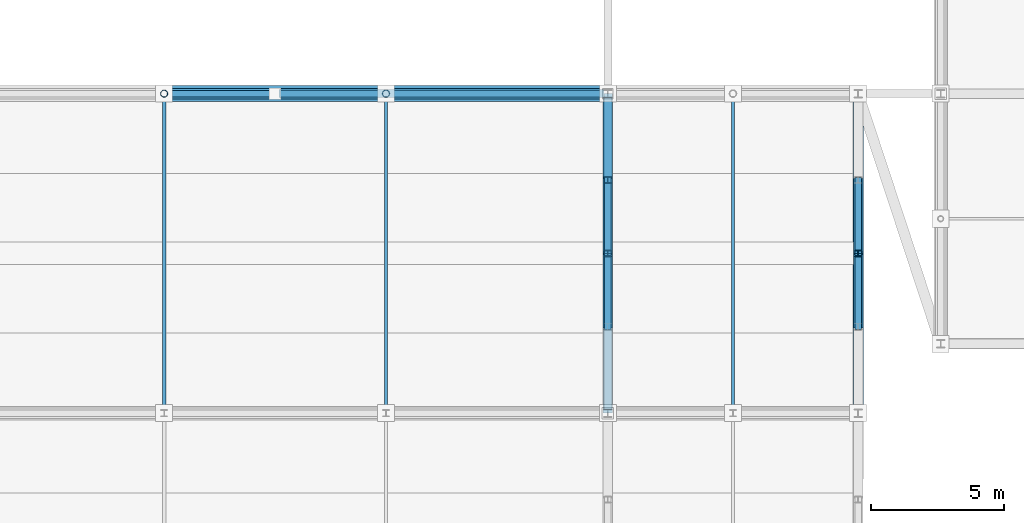
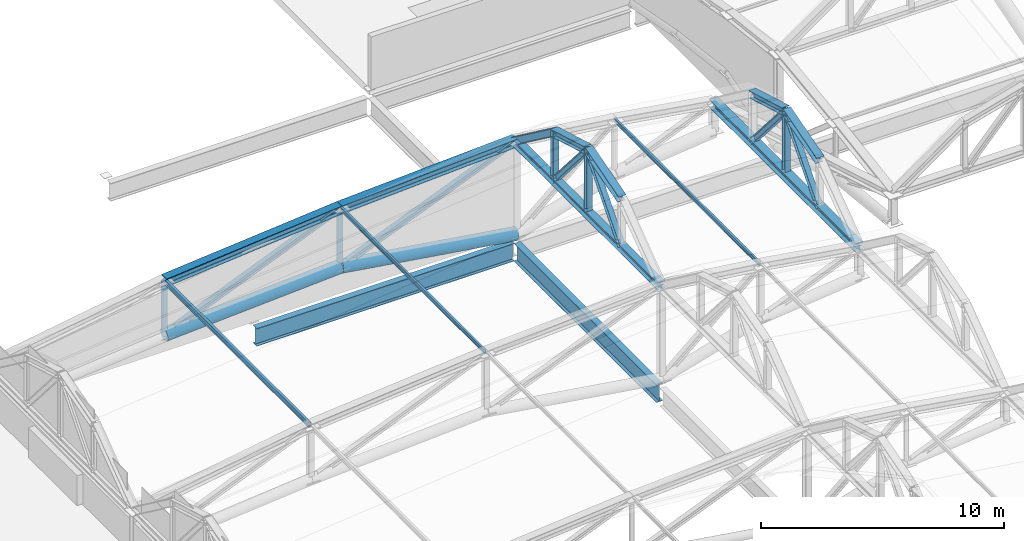
# One storey, part 42 of 117: 25 members, 2 beams.
"""IFC4 building model written with IfcOpenShell, lengths in metres."""

from ifc_helpers import new_model, si_unit, direction, frame, origin, origin_2d, place, context, subcontext, project, spatial, hollow_circle, i_section, extrude, material, material_profile, profile_set, type_object, element, save


model = new_model("IFC4")

# Units and contexts
model_context = context("Model", 3, precision=1e-05, world=origin(), true_north=direction((0.0, 1.0)))
body_context = subcontext(model_context, "Body", "Model", "MODEL_VIEW")
ifc_project = project(units=[si_unit("LENGTHUNIT", "METRE"), si_unit("AREAUNIT", "SQUARE_METRE"), si_unit("VOLUMEUNIT", "CUBIC_METRE"), si_unit("PLANEANGLEUNIT", "RADIAN"), si_unit("MASSUNIT", "GRAM", prefix="KILO")], contexts=[model_context])

# Site, building, storey
site_placement = place(None, origin())
site = spatial("IfcSite", under=ifc_project, at=site_placement, CompositionType="ELEMENT")
building_placement = place(site_placement, origin())
building = spatial("IfcBuilding", under=site, at=building_placement, Name="Kazenohara Klinker Stadium", CompositionType="ELEMENT")
storey_placement = place(building_placement, frame((0.0, 0.0, 31.199951171875)))
storey = spatial("IfcBuildingStorey", under=building, at=storey_placement, Name="RF", CompositionType="ELEMENT", Elevation=31.199951171875)

# Members
ifc_material = material(Name="Steel S355", Category="steel")
ifc_material_profile_1 = material_profile(ifc_material, i_section(OverallWidth=0.25, OverallDepth=0.25, WebThickness=0.009033203125, FlangeThickness=0.013916015625, FilletRadius=0.012939453125, at=origin_2d()), Name="H-250x250x9x14")
ifc_profile_set_1 = profile_set([ifc_material_profile_1], Name="Steel S355")
member_type_1 = type_object("IfcMemberType", Name="MEM-BRC02", PredefinedType="BRACE", material=ifc_profile_set_1)
member_1_placement = place(storey_placement, frame((32.333251953125, 132.0, 0.75), z_axis=(0.923953834256, 0.0, 0.382504002808), x_axis=(0.0, 1.0, 0.0)))
element("IfcMember", 1, at=member_1_placement, inside=storey, type_object=member_type_1, Name="ROOF TRUSS RT-W08 web diagonal 2", PredefinedType="BRACE", context=body_context, shape_type="SweptSolid", body=[
    extrude(i_section(OverallWidth=0.25, OverallDepth=0.25, WebThickness=0.009033203125, FlangeThickness=0.013916015625, FilletRadius=0.012939453125, at=origin_2d()), origin(), (0.0, 0.0, 1.0), 9.019287109375),
])
member_2_placement = place(storey_placement, frame((40.666748046875, 132.0, 1.25), z_axis=(0.925893541001, 0.0, 0.377784529503), x_axis=(0.0, 1.0, 0.0)))
element("IfcMember", 2, at=member_2_placement, inside=storey, type_object=member_type_1, Name="ROOF TRUSS RT-W08 web diagonal 3", PredefinedType="BRACE", context=body_context, shape_type="SweptSolid", body=[
    extrude(i_section(OverallWidth=0.25, OverallDepth=0.25, WebThickness=0.009033203125, FlangeThickness=0.013916015625, FilletRadius=0.012939453125, at=origin_2d()), origin(), (0.0, 0.0, 1.0), 9.000244140625),
])
ifc_material_profile_2 = material_profile(ifc_material, i_section(OverallWidth=0.39990234375, OverallDepth=0.39990234375, WebThickness=0.012939453125, FlangeThickness=0.02099609375, FilletRadius=0.02197265625, at=origin_2d()), Name="H-400x400x13x21")
ifc_profile_set_2 = profile_set([ifc_material_profile_2], Name="Steel S355")
member_type_2 = type_object("IfcMemberType", Name="MEM-CHD01", PredefinedType="CHORD", material=ifc_profile_set_2)
member_3_placement = place(storey_placement, frame((32.333251953125, 132.0, 3.449951171875), z_axis=(0.995974595139, 0.0, 0.08963596286), x_axis=(0.0, 1.0, 0.0)))
element("IfcMember", 3, at=member_3_placement, inside=storey, type_object=member_type_2, Name="ROOF TRUSS RT-W08 top arched chord 2", PredefinedType="CHORD", context=body_context, shape_type="SweptSolid", body=[
    extrude(i_section(OverallWidth=0.39990234375, OverallDepth=0.39990234375, WebThickness=0.012939453125, FlangeThickness=0.02099609375, FilletRadius=0.02197265625, at=origin_2d()), origin(), (0.0, 0.0, 1.0), 8.3671875),
])
member_4_placement = place(storey_placement, frame((40.666748046875, 132.0, 4.199951171875), z_axis=(0.99854389216, 0.0, 0.053945300359), x_axis=(0.0, 1.0, 0.0)))
element("IfcMember", 4, at=member_4_placement, inside=storey, type_object=member_type_2, Name="ROOF TRUSS RT-W08 top arched chord 3", PredefinedType="CHORD", context=body_context, shape_type="SweptSolid", body=[
    extrude(i_section(OverallWidth=0.39990234375, OverallDepth=0.39990234375, WebThickness=0.012939453125, FlangeThickness=0.02099609375, FilletRadius=0.02197265625, at=origin_2d()), origin(), (0.0, 0.0, 1.0), 8.345458984375),
])
member_5_placement = place(storey_placement, frame((58.39990234375, 120.0, 3.300048828125), z_axis=(0.0, 1.0, 0.0), x_axis=(-1.0, 0.0, 0.0)))
element("IfcMember", 5, at=member_5_placement, inside=storey, type_object=member_type_2, Name="Inner tension ring chord TC01 segment 07", PredefinedType="CHORD", context=body_context, shape_type="SweptSolid", body=[
    extrude(i_section(OverallWidth=0.39990234375, OverallDepth=0.39990234375, WebThickness=0.012939453125, FlangeThickness=0.02099609375, FilletRadius=0.02197265625, at=origin_2d()), origin(), (0.0, 0.0, 1.0), 12.0),
])
ifc_material_profile_3 = material_profile(ifc_material, i_section(OverallWidth=0.35009765625, OverallDepth=0.35009765625, WebThickness=0.011962890625, FlangeThickness=0.01904296875, FilletRadius=0.012939453125, at=origin_2d()), Name="H-350x350x12x19")
ifc_profile_set_3 = profile_set([ifc_material_profile_3], Name="Steel S355")
member_type_3 = type_object("IfcMemberType", Name="MEM-CHD02", PredefinedType="CHORD", material=ifc_profile_set_3)
member_6_placement = place(storey_placement, frame((49.0, 120.0, 4.650146484375), z_axis=(0.0, 1.0, 0.0), x_axis=(-1.0, 0.0, 0.0)))
element("IfcMember", 6, at=member_6_placement, inside=storey, type_object=member_type_3, Name="Barrel arch tie chord TC02 W-07-N3", PredefinedType="CHORD", context=body_context, shape_type="SweptSolid", body=[
    extrude(i_section(OverallWidth=0.35009765625, OverallDepth=0.35009765625, WebThickness=0.011962890625, FlangeThickness=0.01904296875, FilletRadius=0.012939453125, at=origin_2d()), origin(), (0.0, 0.0, 1.0), 12.0),
])
for number, where, z_axis, x_axis, name in (
    (7, (49.0, 123.239990234375, 7.050048828125), (0.0, 0.960462085918, 0.27841081429), (-1.0, 0.0, 0.0), "Barrel arch top rib TC02 W-07-N3-S2"),
    (8, (49.0, 126.0, 7.85009765625), (0.0, 0.960462085918, -0.27841081429), (-1.0, 0.0, 0.0), "Barrel arch top rib TC02 W-07-N3-S3"),
):
    element("IfcMember", number, at=place(storey_placement, frame(where, z_axis=z_axis, x_axis=x_axis)), inside=storey, type_object=member_type_3, Name=name, PredefinedType="CHORD", context=body_context, shape_type="SweptSolid", body=[
        extrude(i_section(OverallWidth=0.35009765625, OverallDepth=0.35009765625, WebThickness=0.011962890625, FlangeThickness=0.01904296875, FilletRadius=0.012939453125, at=origin_2d()), origin(), (0.0, 0.0, 1.0), 2.87353515625),
    ])
member_7_placement = place(storey_placement, frame((49.0, 128.760009765625, 7.050048828125), z_axis=(0.0, 0.803567919639, -0.595213069856), x_axis=(-1.0, 0.0, 0.0)))
element("IfcMember", 9, at=member_7_placement, inside=storey, type_object=member_type_3, Name="Barrel arch top rib TC02 W-07-N3-S4", PredefinedType="CHORD", context=body_context, shape_type="SweptSolid", body=[
    extrude(i_section(OverallWidth=0.35009765625, OverallDepth=0.35009765625, WebThickness=0.011962890625, FlangeThickness=0.01904296875, FilletRadius=0.012939453125, at=origin_2d()), origin(), (0.0, 0.0, 1.0), 4.031982421875),
])
for number, where, z_axis, x_axis, name in (
    (10, (58.39990234375, 123.239990234375, 5.699951171875), (0.0, 0.960462085918, 0.27841081429), (-1.0, 0.0, 0.0), "Barrel arch top rib TC02 W-07-N5-S2"),
    (11, (58.39990234375, 126.0, 6.5), (0.0, 0.960462085918, -0.27841081429), (-1.0, 0.0, 0.0), "Barrel arch top rib TC02 W-07-N5-S3"),
):
    element("IfcMember", number, at=place(storey_placement, frame(where, z_axis=z_axis, x_axis=x_axis)), inside=storey, type_object=member_type_3, Name=name, PredefinedType="CHORD", context=body_context, shape_type="SweptSolid", body=[
        extrude(i_section(OverallWidth=0.35009765625, OverallDepth=0.35009765625, WebThickness=0.011962890625, FlangeThickness=0.01904296875, FilletRadius=0.012939453125, at=origin_2d()), origin(), (0.0, 0.0, 1.0), 2.87353515625),
    ])
ifc_material_profile_4 = material_profile(ifc_material, hollow_circle(Radius=0.3046875, WallThickness=0.01611328125, at=origin_2d()), Name="CHS-609.6x16")
ifc_profile_set_4 = profile_set([ifc_material_profile_4], Name="Steel S355")
member_type_4 = type_object("IfcMemberType", Name="MEM-CHD05", PredefinedType="CHORD", material=ifc_profile_set_4)
member_8_placement = place(storey_placement, frame((32.333251953125, 132.0, 0.75), z_axis=(0.998204915398, 0.0, 0.059891125175), x_axis=(0.0, 1.0, 0.0)))
element("IfcMember", 12, at=member_8_placement, inside=storey, type_object=member_type_4, Name="ROOF TRUSS RT-W08 bottom arched chord 2", PredefinedType="CHORD", context=body_context, shape_type="SweptSolid", body=[
    extrude(hollow_circle(Radius=0.3046875, WallThickness=0.01611328125, at=origin_2d()), origin(), (0.0, 0.0, 1.0), 8.348388671875),
])
member_9_placement = place(storey_placement, frame((40.666748046875, 132.0, 1.25), z_axis=(0.988585006916, 0.0, -0.15066414338), x_axis=(0.0, 1.0, 0.0)))
element("IfcMember", 13, at=member_9_placement, inside=storey, type_object=member_type_4, Name="ROOF TRUSS RT-W08 bottom arched chord 3", PredefinedType="CHORD", context=body_context, shape_type="SweptSolid", body=[
    extrude(hollow_circle(Radius=0.3046875, WallThickness=0.01611328125, at=origin_2d()), origin(), (0.0, 0.0, 1.0), 8.429443359375),
])
ifc_material_profile_5 = material_profile(ifc_material, i_section(OverallWidth=0.125, OverallDepth=0.25, WebThickness=0.006103515625, FlangeThickness=0.009033203125, FilletRadius=0.008056640625, at=origin_2d()), Name="H-250x125x6x9")
ifc_profile_set_5 = profile_set([ifc_material_profile_5], Name="Steel S355")
member_type_5 = type_object("IfcMemberType", Name="MEM-PUR01", PredefinedType="PURLIN", material=ifc_profile_set_5)
member_10_placement = place(storey_placement, frame((32.333251953125, 120.0, 3.469970703125), z_axis=(0.0, 1.0, 0.0), x_axis=(-1.0, 0.0, 0.0)))
element("IfcMember", 14, at=member_10_placement, inside=storey, type_object=member_type_5, Name="Canopy valley tie purlin PR01 W-07-N1", PredefinedType="PURLIN", context=body_context, shape_type="SweptSolid", body=[
    extrude(i_section(OverallWidth=0.125, OverallDepth=0.25, WebThickness=0.006103515625, FlangeThickness=0.009033203125, FilletRadius=0.008056640625, at=origin_2d()), origin(), (0.0, 0.0, 1.0), 12.0),
])
ifc_material_profile_6 = material_profile(ifc_material, i_section(OverallWidth=0.10009765625, OverallDepth=0.199951171875, WebThickness=0.005615234375, FlangeThickness=0.008056640625, FilletRadius=0.008056640625, at=origin_2d()), Name="H-200x100x5.5x8")
ifc_profile_set_6 = profile_set([ifc_material_profile_6], Name="Steel S355")
member_type_6 = type_object("IfcMemberType", Name="MEM-PUR02", PredefinedType="PURLIN", material=ifc_profile_set_6)
for number, where, z_axis, x_axis, name in (
    (15, (40.666748046875, 120.0, 4.219970703125), (0.0, 1.0, 0.0), (-1.0, 0.0, 0.0), "Canopy valley tie purlin PR02 W-07-N2"),
    (16, (53.699951171875, 120.0, 4.070068359375), (0.0, 1.0, 0.0), (-1.0, 0.0, 0.0), "Canopy valley tie purlin PR02 W-07-N4"),
):
    element("IfcMember", number, at=place(storey_placement, frame(where, z_axis=z_axis, x_axis=x_axis)), inside=storey, type_object=member_type_6, Name=name, PredefinedType="PURLIN", context=body_context, shape_type="SweptSolid", body=[
        extrude(i_section(OverallWidth=0.10009765625, OverallDepth=0.199951171875, WebThickness=0.005615234375, FlangeThickness=0.008056640625, FilletRadius=0.008056640625, at=origin_2d()), origin(), (0.0, 0.0, 1.0), 12.0),
    ])
ifc_material_profile_7 = material_profile(ifc_material, i_section(OverallWidth=0.25, OverallDepth=0.25, WebThickness=0.009033203125, FlangeThickness=0.013916015625, FilletRadius=0.012939453125, at=origin_2d()), Name="H-250x250x9x14")
ifc_profile_set_7 = profile_set([ifc_material_profile_7], Name="Steel S355")
member_type_7 = type_object("IfcMemberType", Name="MEM-STR02", PredefinedType="STRUT", material=ifc_profile_set_7)
member_11_placement = place(storey_placement, frame((49.0, 126.0, 4.650146484375), z_axis=(0.0, 0.0, 1.0), x_axis=(1.0, 0.0, 0.0)))
element("IfcMember", 17, at=member_11_placement, inside=storey, type_object=member_type_7, Name="Barrel arch web post TS02 W-07-N3-P2", PredefinedType="STRUT", context=body_context, shape_type="SweptSolid", body=[
    extrude(i_section(OverallWidth=0.25, OverallDepth=0.25, WebThickness=0.009033203125, FlangeThickness=0.013916015625, FilletRadius=0.012939453125, at=origin_2d()), origin(), (0.0, 0.0, 1.0), 3.199951171875),
])
member_12_placement = place(storey_placement, frame((49.0, 128.760009765625, 4.650146484375), z_axis=(0.0, 0.0, 1.0), x_axis=(1.0, 0.0, 0.0)))
element("IfcMember", 18, at=member_12_placement, inside=storey, type_object=member_type_7, Name="Barrel arch web post TS02 W-07-N3-P3", PredefinedType="STRUT", context=body_context, shape_type="SweptSolid", body=[
    extrude(i_section(OverallWidth=0.25, OverallDepth=0.25, WebThickness=0.009033203125, FlangeThickness=0.013916015625, FilletRadius=0.012939453125, at=origin_2d()), origin(), (0.0, 0.0, 1.0), 2.39990234375),
])
for number, where, z_axis, x_axis, name in (
    (19, (49.0, 123.239990234375, 4.650146484375), (0.0, 0.653133887971, 0.757242447558), (-1.0, 0.0, 0.0), "Barrel arch web diagonal TS02 W-07-N3-D1"),
    (20, (49.0, 128.760009765625, 4.650146484375), (0.0, -0.653133887971, 0.757242447558), (1.0, 0.0, 0.0), "Barrel arch web diagonal TS02 W-07-N3-D2"),
):
    element("IfcMember", number, at=place(storey_placement, frame(where, z_axis=z_axis, x_axis=x_axis)), inside=storey, type_object=member_type_7, Name=name, PredefinedType="STRUT", context=body_context, shape_type="SweptSolid", body=[
        extrude(i_section(OverallWidth=0.25, OverallDepth=0.25, WebThickness=0.009033203125, FlangeThickness=0.013916015625, FilletRadius=0.012939453125, at=origin_2d()), origin(), (0.0, 0.0, 1.0), 4.225830078125),
    ])
member_13_placement = place(storey_placement, frame((58.39990234375, 126.0, 3.300048828125), z_axis=(0.0, 0.0, 1.0), x_axis=(1.0, 0.0, 0.0)))
element("IfcMember", 21, at=member_13_placement, inside=storey, type_object=member_type_7, Name="Barrel arch web post TS02 W-07-N5-P2", PredefinedType="STRUT", context=body_context, shape_type="SweptSolid", body=[
    extrude(i_section(OverallWidth=0.25, OverallDepth=0.25, WebThickness=0.009033203125, FlangeThickness=0.013916015625, FilletRadius=0.012939453125, at=origin_2d()), origin(), (0.0, 0.0, 1.0), 3.199951171875),
])
for number, where, z_axis, x_axis, name in (
    (22, (58.39990234375, 123.239990234375, 3.300048828125), (0.0, 0.653133887971, 0.757242447558), (-1.0, 0.0, 0.0), "Barrel arch web diagonal TS02 W-07-N5-D1"),
    (23, (58.39990234375, 128.760009765625, 3.300048828125), (0.0, -0.653133887971, 0.757242447558), (1.0, 0.0, 0.0), "Barrel arch web diagonal TS02 W-07-N5-D2"),
):
    element("IfcMember", number, at=place(storey_placement, frame(where, z_axis=z_axis, x_axis=x_axis)), inside=storey, type_object=member_type_7, Name=name, PredefinedType="STRUT", context=body_context, shape_type="SweptSolid", body=[
        extrude(i_section(OverallWidth=0.25, OverallDepth=0.25, WebThickness=0.009033203125, FlangeThickness=0.013916015625, FilletRadius=0.012939453125, at=origin_2d()), origin(), (0.0, 0.0, 1.0), 4.225830078125),
    ])
ifc_material_profile_8 = material_profile(ifc_material, hollow_circle(Radius=0.1337890625, WallThickness=0.009033203125, at=origin_2d()), Name="CHS-267.4x9")
ifc_profile_set_8 = profile_set([ifc_material_profile_8], Name="Steel S355")
member_type_8 = type_object("IfcMemberType", Name="MEM-STR03", PredefinedType="STRUT", material=ifc_profile_set_8)
member_14_placement = place(storey_placement, frame((32.333251953125, 132.0, 0.75), z_axis=(0.0, 0.0, 1.0), x_axis=(1.0, 0.0, 0.0)))
element("IfcMember", 24, at=member_14_placement, inside=storey, type_object=member_type_8, Name="ROOF TRUSS RT-W08 web post 2", PredefinedType="STRUT", context=body_context, shape_type="SweptSolid", body=[
    extrude(hollow_circle(Radius=0.1337890625, WallThickness=0.009033203125, at=origin_2d()), origin(), (0.0, 0.0, 1.0), 2.699951171875),
])
member_15_placement = place(storey_placement, frame((40.666748046875, 132.0, 1.25), z_axis=(0.0, 0.0, 1.0), x_axis=(1.0, 0.0, 0.0)))
element("IfcMember", 25, at=member_15_placement, inside=storey, type_object=member_type_8, Name="ROOF TRUSS RT-W08 web post 3", PredefinedType="STRUT", context=body_context, shape_type="SweptSolid", body=[
    extrude(hollow_circle(Radius=0.1337890625, WallThickness=0.009033203125, at=origin_2d()), origin(), (0.0, 0.0, 1.0), 2.949951171875),
])

# Beams
ifc_material_profile_9 = material_profile(ifc_material, i_section(OverallWidth=0.300048828125, OverallDepth=0.89990234375, WebThickness=0.01611328125, FlangeThickness=0.028076171875, FilletRadius=0.02197265625, at=origin_2d()), Name="H-900x300x16x28")
ifc_profile_set_9 = profile_set([ifc_material_profile_9], Name="Steel S355")
beam_type = type_object("IfcBeamType", Name="RING-RB01", PredefinedType="USERDEFINED", material=ifc_profile_set_9)
beam_1_placement = place(storey_placement, frame((49.0, 120.139892578125, -0.820068359375), z_axis=(0.0, 1.0, 0.0), x_axis=(-1.0, 0.0, 0.0)))
element("IfcBeam", 26, at=beam_1_placement, inside=storey, type_object=beam_type, Name="Roof ring beam RB01 W-IN L-M", ObjectType="RING BEAM", PredefinedType="USERDEFINED", context=body_context, shape_type="SweptSolid", body=[
    extrude(i_section(OverallWidth=0.300048828125, OverallDepth=0.89990234375, WebThickness=0.01611328125, FlangeThickness=0.028076171875, FilletRadius=0.02197265625, at=origin_2d()), origin(), (0.0, 0.0, 1.0), 11.72021484375),
])
beam_2_placement = place(storey_placement, frame((36.639892578125, 132.0, -0.820068359375), z_axis=(1.0, 0.0, 0.0), x_axis=(0.0, 1.0, 0.0)))
element("IfcBeam", 27, at=beam_2_placement, inside=storey, type_object=beam_type, Name="Roof ring beam RB01 N-IN 4-5", ObjectType="RING BEAM", PredefinedType="USERDEFINED", context=body_context, shape_type="SweptSolid", body=[
    extrude(i_section(OverallWidth=0.300048828125, OverallDepth=0.89990234375, WebThickness=0.01611328125, FlangeThickness=0.028076171875, FilletRadius=0.02197265625, at=origin_2d()), origin(), (0.0, 0.0, 1.0), 12.22021484375),
])

save(model, "model.ifc")
